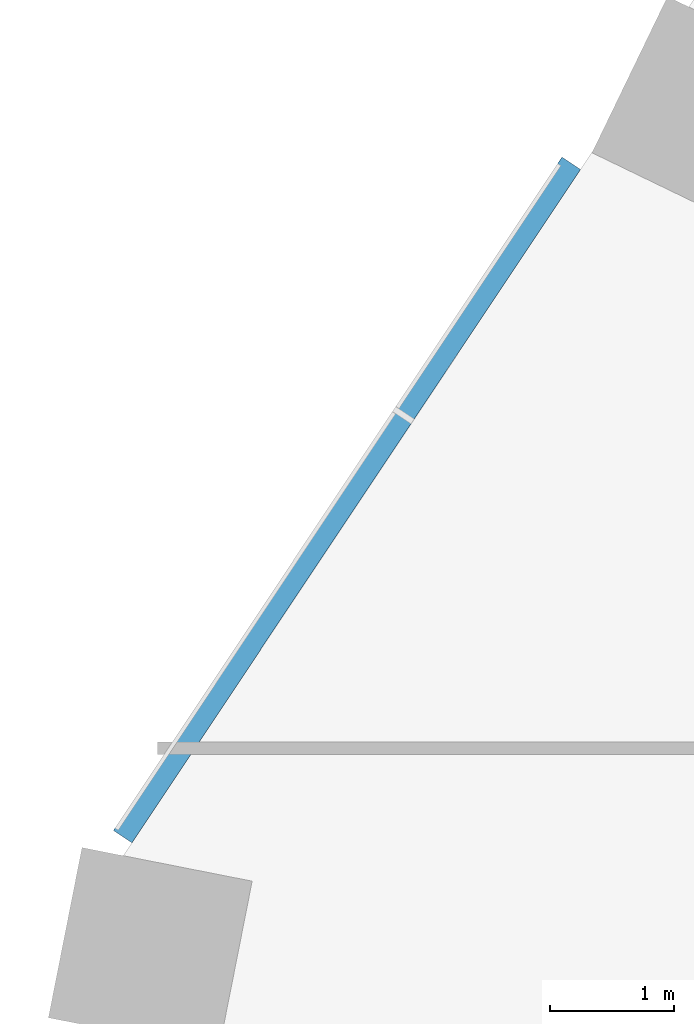
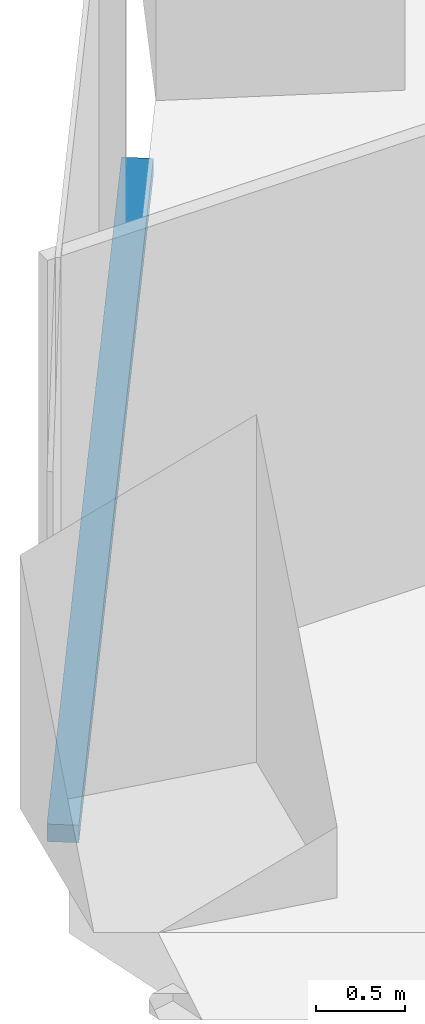
# One storey, part 7 of 38: 1 member, 1 element without a shape of its own.
"""IFC4 building model written with IfcOpenShell, lengths in metres."""

from ifc_helpers import new_model, si_unit, direction, frame, origin, origin_2d, place, context, subcontext, project, spatial, rectangle, extrude, material, material_profile, profile_set, type_object, element, aggregate, save


model = new_model("IFC4")

# Units and contexts
model_context = context("Model", 3, precision=1e-05, world=origin(), true_north=direction((0.0, 1.0)))
body_context = subcontext(model_context, "Body", "Model", "MODEL_VIEW")
ifc_project = project(units=[si_unit("LENGTHUNIT", "METRE"), si_unit("AREAUNIT", "SQUARE_METRE"), si_unit("VOLUMEUNIT", "CUBIC_METRE"), si_unit("PLANEANGLEUNIT", "RADIAN"), si_unit("MASSUNIT", "GRAM", prefix="KILO")], contexts=[model_context])

# Site, building, storey
site_placement = place(None, origin())
site = spatial("IfcSite", under=ifc_project, at=site_placement, CompositionType="ELEMENT")
building_placement = place(site_placement, origin())
building = spatial("IfcBuilding", under=site, at=building_placement, Name="Orlundy Tower", CompositionType="ELEMENT")
storey_placement = place(building_placement, frame((0.0, 0.0, 62.300048828125)))
storey = spatial("IfcBuildingStorey", under=building, at=storey_placement, Name="L14", CompositionType="ELEMENT", Elevation=62.300048828125)

# Curtain wall, member
ifc_material_1 = material(Name="Aluminium bronze anodised", Category="aluminium")
curtain_wall_type = type_object("IfcCurtainWallType", Name="CW1 wall", PredefinedType="NOTDEFINED", material=ifc_material_1)
curtain_wall_placement = place(storey_placement, origin())
curtain_wall = element("IfcCurtainWall", 1, at=curtain_wall_placement, inside=storey, type_object=curtain_wall_type, Name="CW1 run 014", PredefinedType="NOTDEFINED")
ifc_material_2 = material(Name="Aluminium bronze anodised", Category="aluminium")
ifc_material_profile = material_profile(ifc_material_2, rectangle(XDim=0.179931640625, YDim=0.1201171875, at=origin_2d()), Name="CW1 transom 180x120")
ifc_profile_set = profile_set([ifc_material_profile], Name="Aluminium bronze anodised")
member_type = type_object("IfcMemberType", Name="CW1 transom 180x120", PredefinedType="USERDEFINED", material=ifc_profile_set)
member_placement = place(storey_placement, frame((-31.442626953125, 7.073486328125, -0.340087890625), z_axis=(0.554355096338, 0.832280257584, 0.0), x_axis=(-0.832280257584, 0.554355096338, 0.0)))
member = element("IfcMember", 2, at=member_placement, type_object=member_type, Name="CW1 transom", ObjectType="TRANSOM", PredefinedType="USERDEFINED", context=body_context, shape_type="SweptSolid", body=[
    extrude(rectangle(XDim=0.179931640625, YDim=0.1201171875, at=origin_2d()), origin(), (0.0, 0.0, 1.0), 6.53125),
])
aggregate(curtain_wall, [member])

save(model, "model.ifc")
